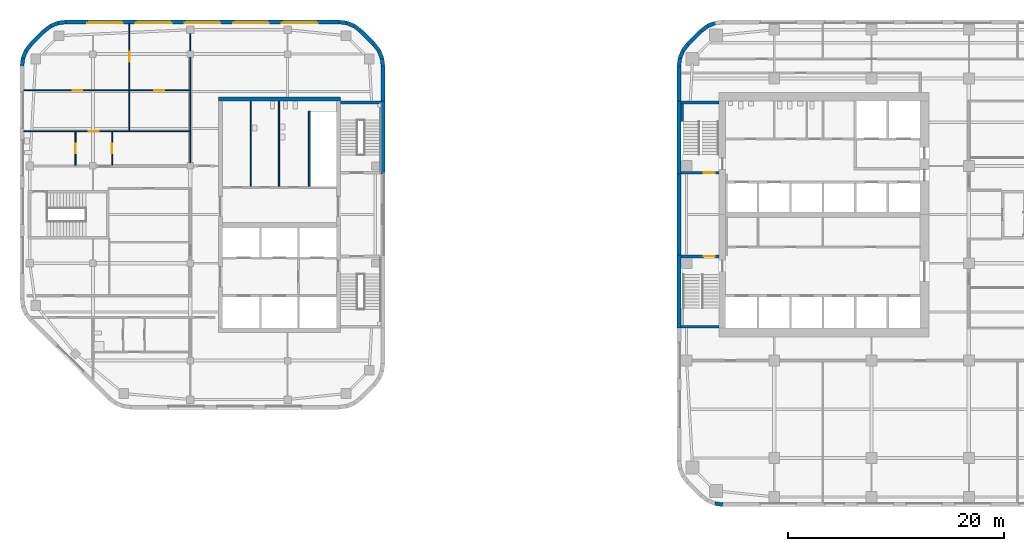
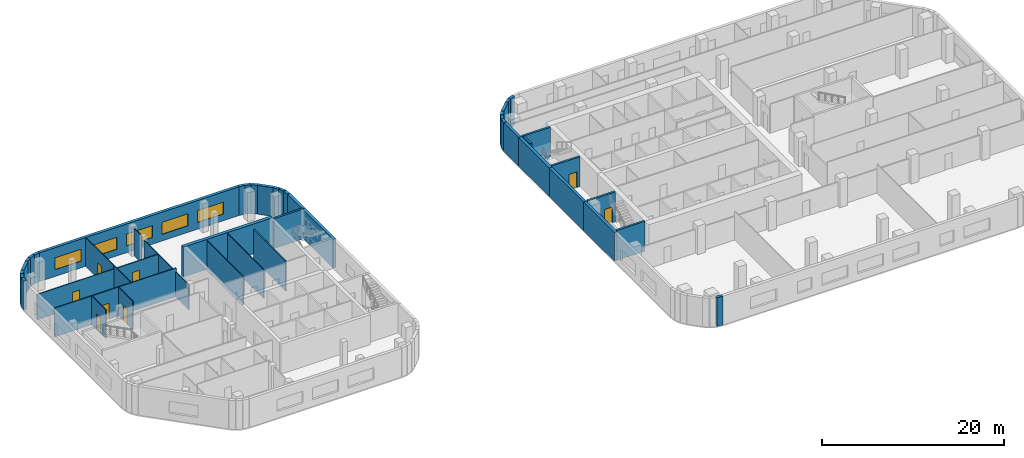
# One storey, part 7 of 14: 48 walls, 8 doors, 5 windows, 13 openings.
"""IFC4 building model written with IfcOpenShell, lengths in metres."""

from ifc_helpers import new_model, si_unit, direction, frame, frame_2d, origin, place, context, subcontext, project, spatial, rectangle, extrude, material, layer, layer_set, type_object, element, fill, save


model = new_model("IFC4")

# Units and contexts
model_context = context("Model", 3, precision=1e-05, world=origin(), true_north=direction((0.0, 1.0)))
body_context = subcontext(model_context, "Body", "Model", "MODEL_VIEW")
ifc_project = project(units=[si_unit("LENGTHUNIT", "METRE"), si_unit("AREAUNIT", "SQUARE_METRE"), si_unit("VOLUMEUNIT", "CUBIC_METRE"), si_unit("PLANEANGLEUNIT", "RADIAN"), si_unit("MASSUNIT", "GRAM", prefix="KILO")], contexts=[model_context])

# Site, building, storey
site_placement = place(None, origin())
site = spatial("IfcSite", under=ifc_project, at=site_placement, CompositionType="ELEMENT")
building_placement = place(site_placement, origin())
building = spatial("IfcBuilding", under=site, at=building_placement, Name="Cinnabar Reach Civic Tower", CompositionType="ELEMENT")
storey_placement = place(building_placement, frame((0.0, 0.0, 132.0)))
storey = spatial("IfcBuildingStorey", under=building, at=storey_placement, Name="L31", CompositionType="ELEMENT", Elevation=132.0)

# Walls
ifc_material_1 = material(Name="Facing brick with insulated backing", Category="masonry")
ifc_layer_1 = layer(ifc_material_1, 0.36)
ifc_layer_set_1 = layer_set([ifc_layer_1], Name="Brick corner wall")
wall_type_1 = type_object("IfcWallType", Name="Brick corner wall", PredefinedType="STANDARD", material=ifc_layer_set_1)
wall_1_placement = place(storey_placement, frame((3.5027, 49.2181, 0.0), z_axis=(0.0, 0.0, 1.0), x_axis=(-0.923871547278, -0.382702709855, 0.0)))
element("IfcWall", 1, at=wall_1_placement, inside=storey, type_object=wall_type_1, Name="Brick corner wall", PredefinedType="STANDARD", context=body_context, shape_type="SweptSolid", body=[
    extrude(rectangle(XDim=0.7131, YDim=0.36, at=frame_2d((0.3565, 0.0))), origin(), (0.0, 0.0, 1.0), 3.85),
])
for number, where, z_axis, x_axis, name in (
    (2, (2.8245, 48.934, 0.0), (0.0, 0.0, 1.0), (-0.793321924995, -0.608802368033, 0.0), "Brick corner wall"),
    (3, (1.0002, 47.2413, 0.0), (0.0, 0.0, 1.0), (-0.608802368033, -0.793321924995, 0.0), "Brick corner wall"),
):
    element("IfcWall", number, at=place(storey_placement, frame(where, z_axis=z_axis, x_axis=x_axis)), inside=storey, type_object=wall_type_1, Name=name, PredefinedType="STANDARD", context=body_context, shape_type="SweptSolid", body=[
        extrude(rectangle(XDim=0.7132, YDim=0.36, at=frame_2d((0.3566, 0.0))), origin(), (0.0, 0.0, 1.0), 3.85),
    ])
for number, where, z_axis, x_axis, name in (
    (4, (0.5548, 46.6561, 0.0), (0.0, 0.0, 1.0), (-0.382702709855, -0.923871547278, 0.0), "Brick corner wall"),
    (5, (0.2761, 45.9756, 0.0), (0.0, 0.0, 1.0), (-0.13055608231, -0.99144092581, 0.0), "Brick corner wall"),
    (6, (3.5244, 4.7761, 0.0), (0.0, 0.0, 1.0), (0.99144092581, -0.13055608231, 0.0), "Brick corner wall"),
    (7, (-27.183, 45.2686, 0.0), (0.0, 0.0, 1.0), (-0.13055608231, 0.99144092581, 0.0), "Brick corner wall"),
    (8, (-27.2819, 45.9973, 0.0), (0.0, 0.0, 1.0), (-0.382702709855, 0.923871547278, 0.0), "Brick corner wall"),
):
    element("IfcWall", number, at=place(storey_placement, frame(where, z_axis=z_axis, x_axis=x_axis)), inside=storey, type_object=wall_type_1, Name=name, PredefinedType="STANDARD", context=body_context, shape_type="SweptSolid", body=[
        extrude(rectangle(XDim=0.7131, YDim=0.36, at=frame_2d((0.3565, 0.0))), origin(), (0.0, 0.0, 1.0), 3.85),
    ])
for number, where, z_axis, x_axis, name in (
    (9, (-27.566, 46.6755, 0.0), (0.0, 0.0, 1.0), (-0.608802368033, 0.793321924995, 0.0), "Brick corner wall"),
    (10, (-29.2587, 48.4998, 0.0), (0.0, 0.0, 1.0), (-0.793321924995, 0.608802368033, 0.0), "Brick corner wall"),
):
    element("IfcWall", number, at=place(storey_placement, frame(where, z_axis=z_axis, x_axis=x_axis)), inside=storey, type_object=wall_type_1, Name=name, PredefinedType="STANDARD", context=body_context, shape_type="SweptSolid", body=[
        extrude(rectangle(XDim=0.7132, YDim=0.36, at=frame_2d((0.3566, 0.0))), origin(), (0.0, 0.0, 1.0), 3.85),
    ])
for number, where, z_axis, x_axis, name in (
    (11, (-29.8439, 48.9452, 0.0), (0.0, 0.0, 1.0), (-0.923871547278, 0.382702709855, 0.0), "Brick corner wall"),
    (12, (-30.5244, 49.2239, 0.0), (0.0, 0.0, 1.0), (-0.99144092581, 0.13055608231, 0.0), "Brick corner wall"),
    (13, (-56.5186, 49.317, 0.0), (0.0, 0.0, 1.0), (-0.99144092581, -0.13055608231, 0.0), "Brick corner wall"),
    (14, (-57.2473, 49.2181, 0.0), (0.0, 0.0, 1.0), (-0.923871547278, -0.382702709855, 0.0), "Brick corner wall"),
):
    element("IfcWall", number, at=place(storey_placement, frame(where, z_axis=z_axis, x_axis=x_axis)), inside=storey, type_object=wall_type_1, Name=name, PredefinedType="STANDARD", context=body_context, shape_type="SweptSolid", body=[
        extrude(rectangle(XDim=0.7131, YDim=0.36, at=frame_2d((0.3565, 0.0))), origin(), (0.0, 0.0, 1.0), 3.85),
    ])
for number, where, z_axis, x_axis, name in (
    (15, (-57.9255, 48.934, 0.0), (0.0, 0.0, 1.0), (-0.793321924995, -0.608802368033, 0.0), "Brick corner wall"),
    (16, (-59.7498, 47.2413, 0.0), (0.0, 0.0, 1.0), (-0.608802368033, -0.793321924995, 0.0), "Brick corner wall"),
):
    element("IfcWall", number, at=place(storey_placement, frame(where, z_axis=z_axis, x_axis=x_axis)), inside=storey, type_object=wall_type_1, Name=name, PredefinedType="STANDARD", context=body_context, shape_type="SweptSolid", body=[
        extrude(rectangle(XDim=0.7132, YDim=0.36, at=frame_2d((0.3566, 0.0))), origin(), (0.0, 0.0, 1.0), 3.85),
    ])
for number, where, z_axis, x_axis, name in (
    (17, (-60.1952, 46.6561, 0.0), (0.0, 0.0, 1.0), (-0.382702709855, -0.923871547278, 0.0), "Brick corner wall"),
    (18, (-60.4739, 45.9756, 0.0), (0.0, 0.0, 1.0), (-0.13055608231, -0.99144092581, 0.0), "Brick corner wall"),
):
    element("IfcWall", number, at=place(storey_placement, frame(where, z_axis=z_axis, x_axis=x_axis)), inside=storey, type_object=wall_type_1, Name=name, PredefinedType="STANDARD", context=body_context, shape_type="SweptSolid", body=[
        extrude(rectangle(XDim=0.7131, YDim=0.36, at=frame_2d((0.3565, 0.0))), origin(), (0.0, 0.0, 1.0), 3.85),
    ])
ifc_layer_2 = layer(ifc_material_1, 0.36)
ifc_layer_set_2 = layer_set([ifc_layer_2], Name="Brick pier and spandrel wall")
wall_type_2 = type_object("IfcWallType", Name="Brick pier and spandrel wall", PredefinedType="STANDARD", material=ifc_layer_set_2)
wall_2_placement = place(storey_placement, frame((2.2486, 48.494, 0.0), z_axis=(0.0, 0.0, 1.0), x_axis=(-0.707106781187, -0.707106781187, 0.0)))
element("IfcWall", 19, at=wall_2_placement, inside=storey, type_object=wall_type_2, Name="Brick facade wall", PredefinedType="STANDARD", context=body_context, shape_type="SweptSolid", body=[
    extrude(rectangle(XDim=1.7573, YDim=0.36, at=frame_2d((0.8787, 0.0))), origin(), (0.0, 0.0, 1.0), 3.85),
])
wall_3_placement = place(storey_placement, frame((0.18, 45.2574, 0.0), z_axis=(0.0, 0.0, 1.0), x_axis=(0.0, -1.0, 0.0)))
element("IfcWall", 20, at=wall_3_placement, inside=storey, type_object=wall_type_2, Name="Brick facade wall", PredefinedType="STANDARD", context=body_context, shape_type="SweptSolid", body=[
    extrude(rectangle(XDim=3.2574, YDim=0.36, at=frame_2d((1.6287, 0.0))), origin(), (0.0, 0.0, 1.0), 3.85),
])
wall_4_placement = place(storey_placement, frame((0.18, 42.0, 0.0), z_axis=(0.0, 0.0, 1.0), x_axis=(0.0, -1.0, 0.0)))
element("IfcWall", 21, at=wall_4_placement, inside=storey, type_object=wall_type_2, Name="Brick facade wall", PredefinedType="STANDARD", context=body_context, shape_type="SweptSolid", body=[
    extrude(rectangle(XDim=6.75, YDim=0.36, at=frame_2d((3.375, 0.0))), origin(), (0.0, 0.0, 1.0), 3.85),
])
wall_5_placement = place(storey_placement, frame((0.18, 35.25, 0.0), z_axis=(0.0, 0.0, 1.0), x_axis=(0.0, -1.0, 0.0)))
element("IfcWall", 22, at=wall_5_placement, inside=storey, type_object=wall_type_2, Name="Brick facade wall", PredefinedType="STANDARD", context=body_context, shape_type="SweptSolid", body=[
    extrude(rectangle(XDim=7.5, YDim=0.36, at=frame_2d((3.75, 0.0))), origin(), (0.0, 0.0, 1.0), 3.85),
])
for number, where, z_axis, x_axis, name in (
    (23, (0.18, 27.75, 0.0), (0.0, 0.0, 1.0), (0.0, -1.0, 0.0), "Brick facade wall"),
    (24, (-27.18, 35.25, 0.0), (0.0, 0.0, 1.0), (0.0, 1.0, 0.0), "Brick facade wall"),
):
    element("IfcWall", number, at=place(storey_placement, frame(where, z_axis=z_axis, x_axis=x_axis)), inside=storey, type_object=wall_type_2, Name=name, PredefinedType="STANDARD", context=body_context, shape_type="SweptSolid", body=[
        extrude(rectangle(XDim=6.75, YDim=0.36, at=frame_2d((3.375, 0.0))), origin(), (0.0, 0.0, 1.0), 3.85),
    ])
wall_6_placement = place(storey_placement, frame((-27.18, 42.0, 0.0), z_axis=(0.0, 0.0, 1.0), x_axis=(0.0, 1.0, 0.0)))
element("IfcWall", 25, at=wall_6_placement, inside=storey, type_object=wall_type_2, Name="Brick facade wall", PredefinedType="STANDARD", context=body_context, shape_type="SweptSolid", body=[
    extrude(rectangle(XDim=3.2574, YDim=0.36, at=frame_2d((1.6287, 0.0))), origin(), (0.0, 0.0, 1.0), 3.85),
])
wall_7_placement = place(storey_placement, frame((-28.006, 47.2514, 0.0), z_axis=(0.0, 0.0, 1.0), x_axis=(-0.707106781187, 0.707106781187, 0.0)))
element("IfcWall", 26, at=wall_7_placement, inside=storey, type_object=wall_type_2, Name="Brick facade wall", PredefinedType="STANDARD", context=body_context, shape_type="SweptSolid", body=[
    extrude(rectangle(XDim=1.7573, YDim=0.36, at=frame_2d((0.8787, 0.0))), origin(), (0.0, 0.0, 1.0), 3.85),
])

# Wall, openings, windows
wall_8_placement = place(storey_placement, frame((-31.2426, 49.32, 0.0), z_axis=(0.0, 0.0, 1.0), x_axis=(-1.0, 0.0, 0.0)))
wall_8 = element("IfcWall", 27, at=wall_8_placement, inside=storey, type_object=wall_type_2, Name="Brick facade wall", PredefinedType="STANDARD", context=body_context, shape_type="SweptSolid", body=[
    extrude(rectangle(XDim=25.2648, YDim=0.36, at=frame_2d((12.6324, 0.0))), origin(), (0.0, 0.0, 1.0), 3.85),
])
opening_1_placement = place(wall_8_placement, frame((1.9824, 0.0, 0.9)))
opening_1 = element("IfcOpeningElement", 28, at=opening_1_placement, cuts=wall_8, Name="Opening W2783", PredefinedType="OPENING", context=body_context, shape_type="SweptSolid", body=[
    extrude(rectangle(XDim=3.3, YDim=1.6, at=frame_2d((1.65, 0.8))), frame((0.0, 0.19, 0.0), z_axis=(0.0, -1.0, 0.0), x_axis=(1.0, 0.0, 0.0)), (0.0, 0.0, 1.0), 0.38),
])
opening_2_placement = place(wall_8_placement, frame((6.4824, 0.0, 0.9)))
opening_2 = element("IfcOpeningElement", 29, at=opening_2_placement, cuts=wall_8, Name="Opening W2784", PredefinedType="OPENING", context=body_context, shape_type="SweptSolid", body=[
    extrude(rectangle(XDim=3.3, YDim=1.6, at=frame_2d((1.65, 0.8))), frame((0.0, 0.19, 0.0), z_axis=(0.0, -1.0, 0.0), x_axis=(1.0, 0.0, 0.0)), (0.0, 0.0, 1.0), 0.38),
])
opening_3_placement = place(wall_8_placement, frame((10.9824, 0.0, 0.9)))
opening_3 = element("IfcOpeningElement", 30, at=opening_3_placement, cuts=wall_8, Name="Opening W2785", PredefinedType="OPENING", context=body_context, shape_type="SweptSolid", body=[
    extrude(rectangle(XDim=3.3, YDim=1.6, at=frame_2d((1.65, 0.8))), frame((0.0, 0.19, 0.0), z_axis=(0.0, -1.0, 0.0), x_axis=(1.0, 0.0, 0.0)), (0.0, 0.0, 1.0), 0.38),
])
opening_4_placement = place(wall_8_placement, frame((15.4824, 0.0, 0.9)))
opening_4 = element("IfcOpeningElement", 31, at=opening_4_placement, cuts=wall_8, Name="Opening W2786", PredefinedType="OPENING", context=body_context, shape_type="SweptSolid", body=[
    extrude(rectangle(XDim=3.3, YDim=1.6, at=frame_2d((1.65, 0.8))), frame((0.0, 0.19, 0.0), z_axis=(0.0, -1.0, 0.0), x_axis=(1.0, 0.0, 0.0)), (0.0, 0.0, 1.0), 0.38),
])
opening_5_placement = place(wall_8_placement, frame((19.9824, 0.0, 0.9)))
opening_5 = element("IfcOpeningElement", 32, at=opening_5_placement, cuts=wall_8, Name="Opening W2787", PredefinedType="OPENING", context=body_context, shape_type="SweptSolid", body=[
    extrude(rectangle(XDim=3.3, YDim=1.6, at=frame_2d((1.65, 0.8))), frame((0.0, 0.19, 0.0), z_axis=(0.0, -1.0, 0.0), x_axis=(1.0, 0.0, 0.0)), (0.0, 0.0, 1.0), 0.38),
])
ifc_material_2 = material(Name="Clear double glazing in aluminium frame", Category="aluminium")
window_type = type_object("IfcWindowType", Name="Deep-set window A", PartitioningType="SINGLE_PANEL", PredefinedType="WINDOW", material=ifc_material_2)
window_1_placement = place(opening_1_placement, origin())
window_1 = element("IfcWindow", 33, at=window_1_placement, inside=storey, type_object=window_type, Name="Window north face", OverallHeight=1.6, OverallWidth=3.3, PartitioningType="SINGLE_PANEL", PredefinedType="WINDOW", context=body_context, shape_type="SweptSolid", body=[
    extrude(rectangle(XDim=3.3, YDim=1.6, at=frame_2d((1.65, 0.8))), frame((0.0, 0.13, 0.0), z_axis=(0.0, -1.0, 0.0), x_axis=(1.0, 0.0, 0.0)), (0.0, 0.0, 1.0), 0.06),
])
fill(opening_1, window_1)
window_2_placement = place(opening_2_placement, origin())
window_2 = element("IfcWindow", 34, at=window_2_placement, inside=storey, type_object=window_type, Name="Window north face", OverallHeight=1.6, OverallWidth=3.3, PartitioningType="SINGLE_PANEL", PredefinedType="WINDOW", context=body_context, shape_type="SweptSolid", body=[
    extrude(rectangle(XDim=3.3, YDim=1.6, at=frame_2d((1.65, 0.8))), frame((0.0, 0.13, 0.0), z_axis=(0.0, -1.0, 0.0), x_axis=(1.0, 0.0, 0.0)), (0.0, 0.0, 1.0), 0.06),
])
fill(opening_2, window_2)
window_3_placement = place(opening_3_placement, origin())
window_3 = element("IfcWindow", 35, at=window_3_placement, inside=storey, type_object=window_type, Name="Window north face", OverallHeight=1.6, OverallWidth=3.3, PartitioningType="SINGLE_PANEL", PredefinedType="WINDOW", context=body_context, shape_type="SweptSolid", body=[
    extrude(rectangle(XDim=3.3, YDim=1.6, at=frame_2d((1.65, 0.8))), frame((0.0, 0.13, 0.0), z_axis=(0.0, -1.0, 0.0), x_axis=(1.0, 0.0, 0.0)), (0.0, 0.0, 1.0), 0.06),
])
fill(opening_3, window_3)
window_4_placement = place(opening_4_placement, origin())
window_4 = element("IfcWindow", 36, at=window_4_placement, inside=storey, type_object=window_type, Name="Window north face", OverallHeight=1.6, OverallWidth=3.3, PartitioningType="SINGLE_PANEL", PredefinedType="WINDOW", context=body_context, shape_type="SweptSolid", body=[
    extrude(rectangle(XDim=3.3, YDim=1.6, at=frame_2d((1.65, 0.8))), frame((0.0, 0.13, 0.0), z_axis=(0.0, -1.0, 0.0), x_axis=(1.0, 0.0, 0.0)), (0.0, 0.0, 1.0), 0.06),
])
fill(opening_4, window_4)
window_5_placement = place(opening_5_placement, origin())
window_5 = element("IfcWindow", 37, at=window_5_placement, inside=storey, type_object=window_type, Name="Window north face", OverallHeight=1.6, OverallWidth=3.3, PartitioningType="SINGLE_PANEL", PredefinedType="WINDOW", context=body_context, shape_type="SweptSolid", body=[
    extrude(rectangle(XDim=3.3, YDim=1.6, at=frame_2d((1.65, 0.8))), frame((0.0, 0.13, 0.0), z_axis=(0.0, -1.0, 0.0), x_axis=(1.0, 0.0, 0.0)), (0.0, 0.0, 1.0), 0.06),
])
fill(opening_5, window_5)

# Walls
wall_9_placement = place(storey_placement, frame((-58.5014, 48.494, 0.0), z_axis=(0.0, 0.0, 1.0), x_axis=(-0.707106781187, -0.707106781187, 0.0)))
element("IfcWall", 38, at=wall_9_placement, inside=storey, type_object=wall_type_2, Name="Brick facade wall", PredefinedType="STANDARD", context=body_context, shape_type="SweptSolid", body=[
    extrude(rectangle(XDim=1.7573, YDim=0.36, at=frame_2d((0.8787, 0.0))), origin(), (0.0, 0.0, 1.0), 3.85),
])
ifc_material_3 = material(Name="Concrete C60", Category="concrete")
ifc_layer_3 = layer(ifc_material_3, 0.4)
ifc_layer_set_3 = layer_set([ifc_layer_3], Name="Core wall 400 EI 180")
wall_type_3 = type_object("IfcWallType", Name="Core wall 400 EI 180", PredefinedType="SOLIDWALL", material=ifc_layer_set_3)
wall_10_placement = place(storey_placement, frame((-31.1, 42.2, 0.0), z_axis=(0.0, 0.0, 1.0), x_axis=(-1.0, 0.0, 0.0)))
element("IfcWall", 39, at=wall_10_placement, inside=storey, type_object=wall_type_3, Name="Core wall T2 L31 N", PredefinedType="SOLIDWALL", context=body_context, shape_type="SweptSolid", body=[
    extrude(rectangle(XDim=11.3, YDim=0.4, at=frame_2d((5.65, 0.0))), origin(), (0.0, 0.0, 1.0), 4.0),
])

# Wall, opening, door
ifc_material_4 = material(Name="Gypsum board on steel studs", Category="steel")
ifc_layer_4 = layer(ifc_material_4, 0.1)
ifc_layer_set_4 = layer_set([ifc_layer_4], Name="Partition wall 100 T2")
wall_type_4 = type_object("IfcWallType", Name="Partition wall 100 T2", PredefinedType="PARTITIONING", material=ifc_layer_set_4)
wall_11_placement = place(storey_placement, frame((-60.39, 39.2, 0.0), z_axis=(0.0, 0.0, 1.0), x_axis=(1.0, 0.0, 0.0)))
wall_11 = element("IfcWall", 40, at=wall_11_placement, inside=storey, type_object=wall_type_4, Name="Partition wall 9", PredefinedType="PARTITIONING", context=body_context, shape_type="SweptSolid", body=[
    extrude(rectangle(XDim=15.44, YDim=0.1, at=frame_2d((7.72, 0.0))), origin(), (0.0, 0.0, 1.0), 3.85),
])
opening_6_placement = place(wall_11_placement, frame((6.0209, 0.0, 0.0)))
opening_6 = element("IfcOpeningElement", 41, at=opening_6_placement, cuts=wall_11, Name="Opening D7123", PredefinedType="OPENING", context=body_context, shape_type="SweptSolid", body=[
    extrude(rectangle(XDim=0.9, YDim=2.1, at=frame_2d((0.45, 1.05))), frame((0.0, 0.06, 0.0), z_axis=(0.0, -1.0, 0.0), x_axis=(1.0, 0.0, 0.0)), (0.0, 0.0, 1.0), 0.12),
])
ifc_material_5 = material(Name="Timber door leaf in steel frame", Category="steel")
door_type_1 = type_object("IfcDoorType", Name="Single swing door 900 x 2100 T2", OperationType="SINGLE_SWING_LEFT", PredefinedType="DOOR", material=ifc_material_5)
door_1_placement = place(opening_6_placement, frame((0.9, 0.0, 0.0), z_axis=(0.0, 0.0, 1.0), x_axis=(-1.0, 0.0, 0.0)))
door_1 = element("IfcDoor", 42, at=door_1_placement, inside=storey, type_object=door_type_1, Name="Door D7123", OperationType="SINGLE_SWING_LEFT", OverallHeight=2.1, OverallWidth=0.9, PredefinedType="DOOR", context=body_context, shape_type="SweptSolid", body=[
    extrude(rectangle(XDim=0.9, YDim=2.1, at=frame_2d((0.45, 1.05))), frame((0.0, 0.025, 0.0), z_axis=(0.0, -1.0, 0.0), x_axis=(1.0, 0.0, 0.0)), (0.0, 0.0, 1.0), 0.05),
])
fill(opening_6, door_1)

# Wall, openings, doors
wall_12_placement = place(storey_placement, frame((-60.39, 42.9943, 0.0), z_axis=(0.0, 0.0, 1.0), x_axis=(1.0, 0.0, 0.0)))
wall_12 = element("IfcWall", 43, at=wall_12_placement, inside=storey, type_object=wall_type_4, Name="Partition wall 10", PredefinedType="PARTITIONING", context=body_context, shape_type="SweptSolid", body=[
    extrude(rectangle(XDim=15.44, YDim=0.1, at=frame_2d((7.72, 0.0))), origin(), (0.0, 0.0, 1.0), 3.4),
])
opening_7_placement = place(wall_12_placement, frame((4.5, 0.0, 0.0)))
opening_7 = element("IfcOpeningElement", 44, at=opening_7_placement, cuts=wall_12, Name="Opening D7125", PredefinedType="OPENING", context=body_context, shape_type="SweptSolid", body=[
    extrude(rectangle(XDim=0.9, YDim=2.1, at=frame_2d((0.45, 1.05))), frame((0.0, 0.06, 0.0), z_axis=(0.0, -1.0, 0.0), x_axis=(1.0, 0.0, 0.0)), (0.0, 0.0, 1.0), 0.12),
])
opening_8_placement = place(wall_12_placement, frame((12.06, 0.0, 0.0)))
opening_8 = element("IfcOpeningElement", 45, at=opening_8_placement, cuts=wall_12, Name="Opening D7126", PredefinedType="OPENING", context=body_context, shape_type="SweptSolid", body=[
    extrude(rectangle(XDim=0.9, YDim=2.1, at=frame_2d((0.45, 1.05))), frame((0.0, 0.06, 0.0), z_axis=(0.0, -1.0, 0.0), x_axis=(1.0, 0.0, 0.0)), (0.0, 0.0, 1.0), 0.12),
])
door_2_placement = place(opening_7_placement, frame((0.9, 0.0, 0.0), z_axis=(0.0, 0.0, 1.0), x_axis=(-1.0, 0.0, 0.0)))
door_2 = element("IfcDoor", 46, at=door_2_placement, inside=storey, type_object=door_type_1, Name="Door D7125", OperationType="SINGLE_SWING_RIGHT", OverallHeight=2.1, OverallWidth=0.9, PredefinedType="DOOR", context=body_context, shape_type="SweptSolid", body=[
    extrude(rectangle(XDim=0.9, YDim=2.1, at=frame_2d((0.45, 1.05))), frame((0.0, 0.025, 0.0), z_axis=(0.0, -1.0, 0.0), x_axis=(1.0, 0.0, 0.0)), (0.0, 0.0, 1.0), 0.05),
])
fill(opening_7, door_2)
door_3_placement = place(opening_8_placement, origin())
door_3 = element("IfcDoor", 47, at=door_3_placement, inside=storey, type_object=door_type_1, Name="Door D7126", OperationType="SINGLE_SWING_LEFT", OverallHeight=2.1, OverallWidth=0.9, PredefinedType="DOOR", context=body_context, shape_type="SweptSolid", body=[
    extrude(rectangle(XDim=0.9, YDim=2.1, at=frame_2d((0.45, 1.05))), frame((0.0, 0.025, 0.0), z_axis=(0.0, -1.0, 0.0), x_axis=(1.0, 0.0, 0.0)), (0.0, 0.0, 1.0), 0.05),
])
fill(opening_8, door_3)

# Walls
wall_13_placement = place(storey_placement, frame((-45.0, 43.0443, 0.0), z_axis=(0.0, 0.0, 1.0), x_axis=(0.0, 1.0, 0.0)))
element("IfcWall", 48, at=wall_13_placement, inside=storey, type_object=wall_type_4, Name="Partition wall 11", PredefinedType="PARTITIONING", context=body_context, shape_type="SweptSolid", body=[
    extrude(rectangle(XDim=3.0057, YDim=0.1, at=frame_2d((1.5029, 0.0))), origin(), (0.0, 0.0, 1.0), 3.362),
])
wall_14_placement = place(storey_placement, frame((-45.0, 39.25, 0.0), z_axis=(0.0, 0.0, 1.0), x_axis=(0.0, 1.0, 0.0)))
element("IfcWall", 49, at=wall_14_placement, inside=storey, type_object=wall_type_4, Name="Partition wall 12", PredefinedType="PARTITIONING", context=body_context, shape_type="SweptSolid", body=[
    extrude(rectangle(XDim=3.6944, YDim=0.1, at=frame_2d((1.8472, 0.0))), origin(), (0.0, 0.0, 1.0), 3.362),
])
wall_15_placement = place(storey_placement, frame((-45.0, 36.3, 0.0), z_axis=(0.0, 0.0, 1.0), x_axis=(0.0, 1.0, 0.0)))
element("IfcWall", 50, at=wall_15_placement, inside=storey, type_object=wall_type_4, Name="Partition wall 13", PredefinedType="PARTITIONING", context=body_context, shape_type="SweptSolid", body=[
    extrude(rectangle(XDim=2.85, YDim=0.1, at=frame_2d((1.425, 0.0))), origin(), (0.0, 0.0, 1.0), 3.362),
])
wall_16_placement = place(storey_placement, frame((-45.0, 46.65, 0.0), z_axis=(0.0, 0.0, 1.0), x_axis=(0.0, 1.0, 0.0)))
element("IfcWall", 51, at=wall_16_placement, inside=storey, type_object=wall_type_4, Name="Partition wall 14", PredefinedType="PARTITIONING", context=body_context, shape_type="SweptSolid", body=[
    extrude(rectangle(XDim=1.6, YDim=0.1, at=frame_2d((0.8, 0.0))), origin(), (0.0, 0.0, 1.0), 3.652),
])
wall_17_placement = place(storey_placement, frame((-50.63, 39.25, 0.0), z_axis=(0.0, 0.0, 1.0), x_axis=(0.0, 1.0, 0.0)))
element("IfcWall", 52, at=wall_17_placement, inside=storey, type_object=wall_type_4, Name="Partition wall 15", PredefinedType="PARTITIONING", context=body_context, shape_type="SweptSolid", body=[
    extrude(rectangle(XDim=3.6944, YDim=0.1, at=frame_2d((1.8472, 0.0))), origin(), (0.0, 0.0, 1.0), 3.85),
])

# Wall, opening, door
wall_18_placement = place(storey_placement, frame((-50.63, 43.0443, 0.0), z_axis=(0.0, 0.0, 1.0), x_axis=(0.0, 1.0, 0.0)))
wall_18 = element("IfcWall", 53, at=wall_18_placement, inside=storey, type_object=wall_type_4, Name="Partition wall 16", PredefinedType="PARTITIONING", context=body_context, shape_type="SweptSolid", body=[
    extrude(rectangle(XDim=6.0957, YDim=0.1, at=frame_2d((3.0478, 0.0))), origin(), (0.0, 0.0, 1.0), 3.85),
])
opening_9_placement = place(wall_18_placement, frame((2.6, 0.0, 0.0)))
opening_9 = element("IfcOpeningElement", 54, at=opening_9_placement, cuts=wall_18, Name="Opening D7124", PredefinedType="OPENING", context=body_context, shape_type="SweptSolid", body=[
    extrude(rectangle(XDim=0.9, YDim=2.1, at=frame_2d((0.45, 1.05))), frame((0.0, 0.06, 0.0), z_axis=(0.0, -1.0, 0.0), x_axis=(1.0, 0.0, 0.0)), (0.0, 0.0, 1.0), 0.12),
])
door_4_placement = place(opening_9_placement, frame((0.9, 0.0, 0.0), z_axis=(0.0, 0.0, 1.0), x_axis=(-1.0, 0.0, 0.0)))
door_4 = element("IfcDoor", 55, at=door_4_placement, inside=storey, type_object=door_type_1, Name="Door D7124", OperationType="SINGLE_SWING_RIGHT", OverallHeight=2.1, OverallWidth=0.9, PredefinedType="DOOR", context=body_context, shape_type="SweptSolid", body=[
    extrude(rectangle(XDim=0.9, YDim=2.1, at=frame_2d((0.45, 1.05))), frame((0.0, 0.025, 0.0), z_axis=(0.0, -1.0, 0.0), x_axis=(1.0, 0.0, 0.0)), (0.0, 0.0, 1.0), 0.05),
])
fill(opening_9, door_4)

wall_19_placement = place(storey_placement, frame((-55.6191, 36.075, 0.0), z_axis=(0.0, 0.0, 1.0), x_axis=(0.0, 1.0, 0.0)))
wall_19 = element("IfcWall", 56, at=wall_19_placement, inside=storey, type_object=wall_type_4, Name="Partition wall 26", PredefinedType="PARTITIONING", context=body_context, shape_type="SweptSolid", body=[
    extrude(rectangle(XDim=3.075, YDim=0.1, at=frame_2d((1.5375, 0.0))), origin(), (0.0, 0.0, 1.0), 3.85),
])
opening_10_placement = place(wall_19_placement, frame((1.1, 0.0, 0.0)))
opening_10 = element("IfcOpeningElement", 57, at=opening_10_placement, cuts=wall_19, Name="Opening D7121", PredefinedType="OPENING", context=body_context, shape_type="SweptSolid", body=[
    extrude(rectangle(XDim=0.9, YDim=2.1, at=frame_2d((0.45, 1.05))), frame((0.0, 0.06, 0.0), z_axis=(0.0, -1.0, 0.0), x_axis=(1.0, 0.0, 0.0)), (0.0, 0.0, 1.0), 0.12),
])
door_5_placement = place(opening_10_placement, origin())
door_5 = element("IfcDoor", 58, at=door_5_placement, inside=storey, type_object=door_type_1, Name="Door D7121", OperationType="SINGLE_SWING_LEFT", OverallHeight=2.1, OverallWidth=0.9, PredefinedType="DOOR", context=body_context, shape_type="SweptSolid", body=[
    extrude(rectangle(XDim=0.9, YDim=2.1, at=frame_2d((0.45, 1.05))), frame((0.0, 0.025, 0.0), z_axis=(0.0, -1.0, 0.0), x_axis=(1.0, 0.0, 0.0)), (0.0, 0.0, 1.0), 0.05),
])
fill(opening_10, door_5)

wall_20_placement = place(storey_placement, frame((-52.2333, 36.075, 0.0), z_axis=(0.0, 0.0, 1.0), x_axis=(0.0, 1.0, 0.0)))
wall_20 = element("IfcWall", 59, at=wall_20_placement, inside=storey, type_object=wall_type_4, Name="Partition wall 27", PredefinedType="PARTITIONING", context=body_context, shape_type="SweptSolid", body=[
    extrude(rectangle(XDim=3.075, YDim=0.1, at=frame_2d((1.5375, 0.0))), origin(), (0.0, 0.0, 1.0), 3.85),
])
opening_11_placement = place(wall_20_placement, frame((1.1, 0.0, 0.0)))
opening_11 = element("IfcOpeningElement", 60, at=opening_11_placement, cuts=wall_20, Name="Opening D7122", PredefinedType="OPENING", context=body_context, shape_type="SweptSolid", body=[
    extrude(rectangle(XDim=0.9, YDim=2.1, at=frame_2d((0.45, 1.05))), frame((0.0, 0.06, 0.0), z_axis=(0.0, -1.0, 0.0), x_axis=(1.0, 0.0, 0.0)), (0.0, 0.0, 1.0), 0.12),
])
door_6_placement = place(opening_11_placement, origin())
door_6 = element("IfcDoor", 61, at=door_6_placement, inside=storey, type_object=door_type_1, Name="Door D7122", OperationType="SINGLE_SWING_LEFT", OverallHeight=2.1, OverallWidth=0.9, PredefinedType="DOOR", context=body_context, shape_type="SweptSolid", body=[
    extrude(rectangle(XDim=0.9, YDim=2.1, at=frame_2d((0.45, 1.05))), frame((0.0, 0.025, 0.0), z_axis=(0.0, -1.0, 0.0), x_axis=(1.0, 0.0, 0.0)), (0.0, 0.0, 1.0), 0.05),
])
fill(opening_11, door_6)

# Wall
ifc_layer_5 = layer(ifc_material_3, 0.25)
ifc_layer_set_5 = layer_set([ifc_layer_5], Name="Stair shaft wall 250 EI 120")
wall_type_5 = type_object("IfcWallType", Name="Stair shaft wall 250 EI 120", PredefinedType="SOLIDWALL", material=ifc_layer_set_5)
wall_21_placement = place(storey_placement, frame((0.36, 21.125, 0.0), z_axis=(0.0, 0.0, 1.0), x_axis=(1.0, 0.0, 0.0)))
element("IfcWall", 62, at=wall_21_placement, inside=storey, type_object=wall_type_5, Name="Stair shaft wall T1-S1 L31", PredefinedType="SOLIDWALL", context=body_context, shape_type="SweptSolid", body=[
    extrude(rectangle(XDim=3.54, YDim=0.25, at=frame_2d((1.77, 0.0))), origin(), (0.0, 0.0, 1.0), 4.0),
])

# Wall, opening, door
wall_22_placement = place(storey_placement, frame((3.9, 27.625, 0.0), z_axis=(0.0, 0.0, 1.0), x_axis=(-1.0, 0.0, 0.0)))
wall_22 = element("IfcWall", 63, at=wall_22_placement, inside=storey, type_object=wall_type_5, Name="Stair shaft wall T1-S1 L31", PredefinedType="SOLIDWALL", context=body_context, shape_type="SweptSolid", body=[
    extrude(rectangle(XDim=3.54, YDim=0.25, at=frame_2d((1.77, 0.0))), origin(), (0.0, 0.0, 1.0), 4.0),
])
opening_12_placement = place(wall_22_placement, frame((0.4, 0.0, 0.0)))
opening_12 = element("IfcOpeningElement", 64, at=opening_12_placement, cuts=wall_22, Name="Opening D4253", PredefinedType="OPENING", context=body_context, shape_type="SweptSolid", body=[
    extrude(rectangle(XDim=1.0, YDim=2.1, at=frame_2d((0.5, 1.05))), frame((0.0, 0.135, 0.0), z_axis=(0.0, -1.0, 0.0), x_axis=(1.0, 0.0, 0.0)), (0.0, 0.0, 1.0), 0.27),
])
door_type_2 = type_object("IfcDoorType", Name="Stair door 1000 x 2100 T1", OperationType="SINGLE_SWING_LEFT", PredefinedType="DOOR", material=ifc_material_5)
door_7_placement = place(opening_12_placement, origin())
door_7 = element("IfcDoor", 65, at=door_7_placement, inside=storey, type_object=door_type_2, Name="Door D4253", OperationType="SINGLE_SWING_LEFT", OverallHeight=2.1, OverallWidth=1.0, PredefinedType="DOOR", context=body_context, shape_type="SweptSolid", body=[
    extrude(rectangle(XDim=1.0, YDim=2.1, at=frame_2d((0.5, 1.05))), frame((0.0, 0.025, 0.0), z_axis=(0.0, -1.0, 0.0), x_axis=(1.0, 0.0, 0.0)), (0.0, 0.0, 1.0), 0.05),
])
fill(opening_12, door_7)

wall_23_placement = place(storey_placement, frame((0.36, 35.375, 0.0), z_axis=(0.0, 0.0, 1.0), x_axis=(1.0, 0.0, 0.0)))
wall_23 = element("IfcWall", 66, at=wall_23_placement, inside=storey, type_object=wall_type_5, Name="Stair shaft wall T1-S2 L31", PredefinedType="SOLIDWALL", context=body_context, shape_type="SweptSolid", body=[
    extrude(rectangle(XDim=3.54, YDim=0.25, at=frame_2d((1.77, 0.0))), origin(), (0.0, 0.0, 1.0), 4.0),
])
opening_13_placement = place(wall_23_placement, frame((2.14, 0.0, 0.0)))
opening_13 = element("IfcOpeningElement", 67, at=opening_13_placement, cuts=wall_23, Name="Opening D4255", PredefinedType="OPENING", context=body_context, shape_type="SweptSolid", body=[
    extrude(rectangle(XDim=1.0, YDim=2.1, at=frame_2d((0.5, 1.05))), frame((0.0, 0.135, 0.0), z_axis=(0.0, -1.0, 0.0), x_axis=(1.0, 0.0, 0.0)), (0.0, 0.0, 1.0), 0.27),
])
door_8_placement = place(opening_13_placement, origin())
door_8 = element("IfcDoor", 68, at=door_8_placement, inside=storey, type_object=door_type_2, Name="Door D4255", OperationType="SINGLE_SWING_RIGHT", OverallHeight=2.1, OverallWidth=1.0, PredefinedType="DOOR", context=body_context, shape_type="SweptSolid", body=[
    extrude(rectangle(XDim=1.0, YDim=2.1, at=frame_2d((0.5, 1.05))), frame((0.0, 0.025, 0.0), z_axis=(0.0, -1.0, 0.0), x_axis=(1.0, 0.0, 0.0)), (0.0, 0.0, 1.0), 0.05),
])
fill(opening_13, door_8)

# Walls
wall_24_placement = place(storey_placement, frame((3.9, 41.875, 0.0), z_axis=(0.0, 0.0, 1.0), x_axis=(-1.0, 0.0, 0.0)))
element("IfcWall", 69, at=wall_24_placement, inside=storey, type_object=wall_type_5, Name="Stair shaft wall T1-S2 L31", PredefinedType="SOLIDWALL", context=body_context, shape_type="SweptSolid", body=[
    extrude(rectangle(XDim=3.54, YDim=0.25, at=frame_2d((1.77, 0.0))), origin(), (0.0, 0.0, 1.0), 4.0),
])
wall_25_placement = place(storey_placement, frame((-27.36, 41.875, 0.0), z_axis=(0.0, 0.0, 1.0), x_axis=(-1.0, 0.0, 0.0)))
element("IfcWall", 70, at=wall_25_placement, inside=storey, type_object=wall_type_5, Name="Stair shaft wall T2-S2 L31", PredefinedType="SOLIDWALL", context=body_context, shape_type="SweptSolid", body=[
    extrude(rectangle(XDim=3.74, YDim=0.25, at=frame_2d((1.87, 0.0))), origin(), (0.0, 0.0, 1.0), 4.0),
])
ifc_material_6 = material(Name="Concrete C40/50", Category="concrete")
ifc_layer_6 = layer(ifc_material_6, 0.24)
ifc_layer_set_6 = layer_set([ifc_layer_6], Name="T1 landing bearer wall 240")
wall_type_6 = type_object("IfcWallType", Name="T1 landing bearer wall 240", PredefinedType="STANDARD", material=ifc_layer_set_6)
wall_26_placement = place(storey_placement, frame((0.48, 40.13, 0.0), z_axis=(0.0, 0.0, 1.0), x_axis=(0.0, 1.0, 0.0)))
element("IfcWall", 71, at=wall_26_placement, inside=storey, type_object=wall_type_6, Name="T1-S2 landing bearer wall", PredefinedType="STANDARD", context=body_context, shape_type="SweptSolid", body=[
    extrude(rectangle(XDim=1.62, YDim=0.24, at=frame_2d((0.81, 0.0))), origin(), (0.0, 0.0, 1.0), 4.0),
])
ifc_material_7 = material(Name="Gypsum board partition")
ifc_layer_7 = layer(ifc_material_7, 0.1)
ifc_layer_set_7 = layer_set([ifc_layer_7], Name="T2 Internal partition 100")
wall_type_7 = type_object("IfcWallType", Name="T2 Internal partition 100", PredefinedType="PARTITIONING", material=ifc_layer_set_7)
for number, where, z_axis, x_axis, name in (
    (72, (-39.4, 34.075, 0.0), (0.0, 0.0, 1.0), (0.0, 1.0, 0.0), "T2 Internal partition L31 017"),
    (73, (-36.8, 34.075, 0.0), (0.0, 0.0, 1.0), (0.0, 1.0, 0.0), "T2 Internal partition L31 018"),
):
    element("IfcWall", number, at=place(storey_placement, frame(where, z_axis=z_axis, x_axis=x_axis)), inside=storey, type_object=wall_type_7, Name=name, PredefinedType="PARTITIONING", context=body_context, shape_type="SweptSolid", body=[
        extrude(rectangle(XDim=7.925, YDim=0.1, at=frame_2d((3.9625, 0.0))), origin(), (0.0, 0.0, 1.0), 3.85),
    ])
ifc_material_8 = material(Name="Concrete C40", Category="concrete")
ifc_layer_8 = layer(ifc_material_8, 0.15)
ifc_layer_set_8 = layer_set([ifc_layer_8], Name="T2 Riser wall 150")
wall_type_8 = type_object("IfcWallType", Name="T2 Riser wall 150", PredefinedType="SOLIDWALL", material=ifc_layer_set_8)
wall_27_placement = place(storey_placement, frame((-34.0, 41.075, 0.0), z_axis=(0.0, 0.0, 1.0), x_axis=(0.0, -1.0, 0.0)))
element("IfcWall", 74, at=wall_27_placement, inside=storey, type_object=wall_type_8, Name="T2 Riser wall L31 013", PredefinedType="SOLIDWALL", context=body_context, shape_type="SweptSolid", body=[
    extrude(rectangle(XDim=7.0, YDim=0.15, at=frame_2d((3.5, 0.0))), origin(), (0.0, 0.0, 1.0), 4.0),
])

save(model, "model.ifc")
